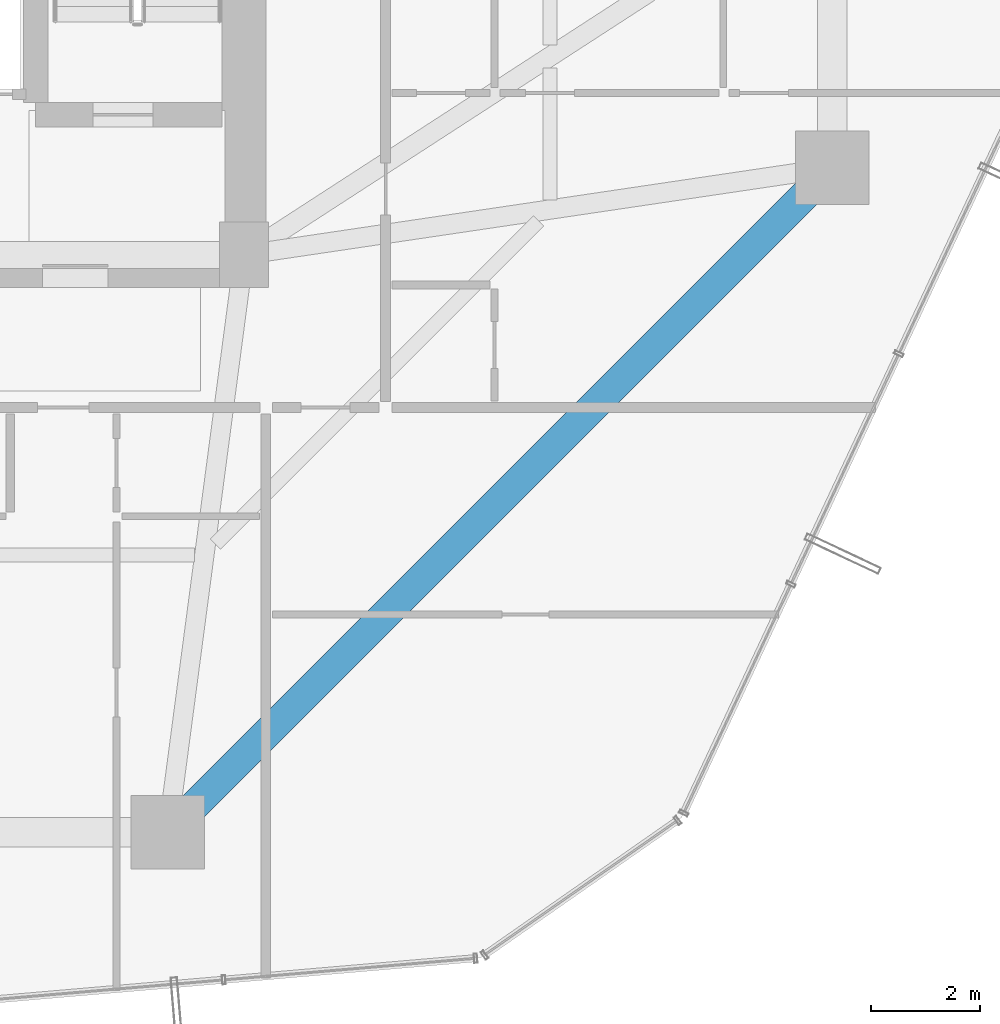
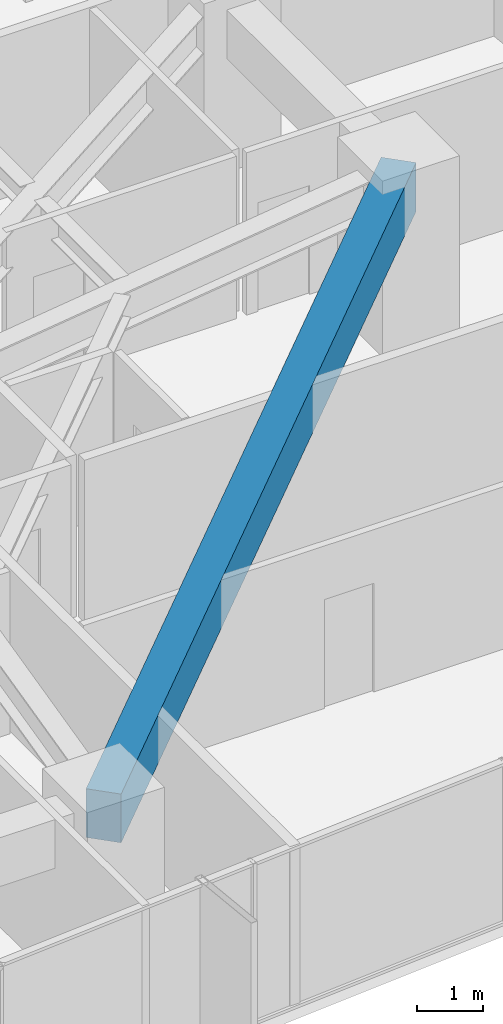
# One storey, part 15 of 37: 1 beam.
"""IFC4 building model written with IfcOpenShell, lengths in metres."""

from ifc_helpers import new_model, si_unit, direction, frame, origin, origin_2d, place, context, subcontext, project, spatial, rectangle, extrude, material, material_profile, profile_set, type_object, element, save


model = new_model("IFC4")

# Units and contexts
model_context = context("Model", 3, precision=1e-05, world=origin(), true_north=direction((0.0, 1.0)))
body_context = subcontext(model_context, "Body", "Model", "MODEL_VIEW")
ifc_project = project(units=[si_unit("LENGTHUNIT", "METRE"), si_unit("AREAUNIT", "SQUARE_METRE"), si_unit("VOLUMEUNIT", "CUBIC_METRE"), si_unit("PLANEANGLEUNIT", "RADIAN"), si_unit("MASSUNIT", "GRAM", prefix="KILO")], contexts=[model_context])

# Site, building, storey
site_placement = place(None, origin())
site = spatial("IfcSite", under=ifc_project, at=site_placement, CompositionType="ELEMENT")
building_placement = place(site_placement, origin())
building = spatial("IfcBuilding", under=site, at=building_placement, Name="Veraguas Prism Commons", CompositionType="ELEMENT")
storey_placement = place(building_placement, frame((0.0, 0.0, 40.300048828125)))
storey = spatial("IfcBuildingStorey", under=building, at=storey_placement, Name="L10", CompositionType="ELEMENT", Elevation=40.300048828125)

# Beam
ifc_material = material(Name="Concrete C50/60", Category="concrete")
ifc_material_profile = material_profile(ifc_material, rectangle(XDim=0.550048828125, YDim=0.89990234375, at=origin_2d()), Name="RC550X900")
ifc_profile_set = profile_set([ifc_material_profile], Name="Concrete C50/60")
beam_type = type_object("IfcBeamType", Name="Perimeter Spandrel Lower RC 550x900", PredefinedType="SPANDREL", material=ifc_profile_set)
beam_placement = place(storey_placement, frame((29.39990234375, 6.39990234375, 2.550048828125), z_axis=(0.707106781187, 0.707106781187, 0.0), x_axis=(-0.707106781187, 0.707106781187, 0.0)))
element("IfcBeam", 1, at=beam_placement, inside=storey, type_object=beam_type, Name="Perimeter Spandrel Beam L10-SP12", PredefinedType="SPANDREL", context=body_context, shape_type="SweptSolid", body=[
    extrude(rectangle(XDim=0.550048828125, YDim=0.89990234375, at=origin_2d()), origin(), (0.0, 0.0, 1.0), 17.253662109375),
])

save(model, "model.ifc")
